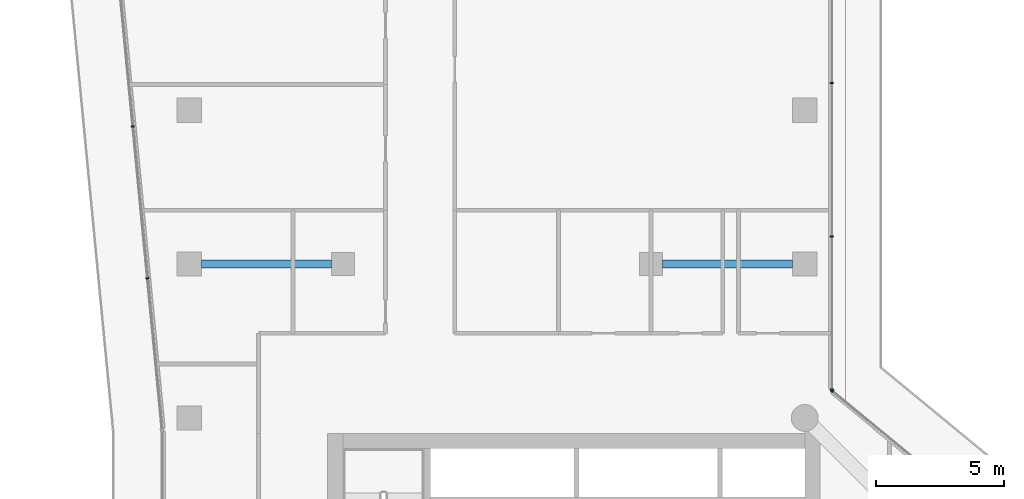
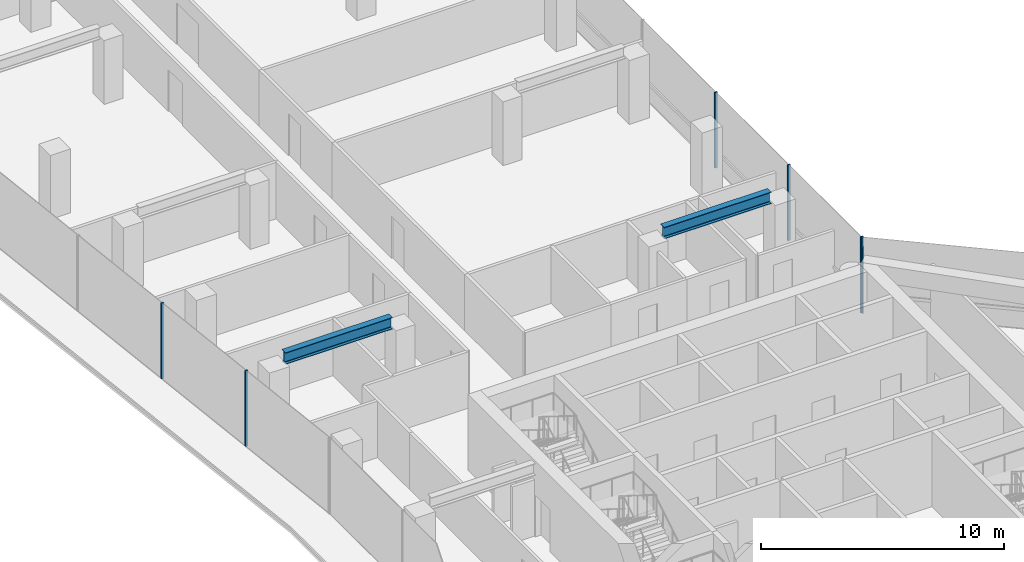
# One storey, part 9 of 22: 6 members, 2 beams, 3 elements without a shape of their own.
"""IFC4 building model written with IfcOpenShell, lengths in metres."""

from ifc_helpers import new_model, si_unit, direction, frame, origin, origin_2d, place, context, subcontext, project, spatial, rectangle, i_section, extrude, material, layer, layer_set, material_profile, profile_set, type_object, element, aggregate, save


model = new_model("IFC4")

# Units and contexts
model_context = context("Model", 3, precision=1e-05, world=origin(), true_north=direction((0.0, 1.0)))
body_context = subcontext(model_context, "Body", "Model", "MODEL_VIEW")
ifc_project = project(units=[si_unit("LENGTHUNIT", "METRE"), si_unit("AREAUNIT", "SQUARE_METRE"), si_unit("VOLUMEUNIT", "CUBIC_METRE"), si_unit("PLANEANGLEUNIT", "RADIAN"), si_unit("MASSUNIT", "GRAM", prefix="KILO")], contexts=[model_context])

# Site, building, storey
site_placement = place(None, origin())
site = spatial("IfcSite", under=ifc_project, at=site_placement, CompositionType="ELEMENT")
building_placement = place(site_placement, origin())
building = spatial("IfcBuilding", under=site, at=building_placement, Name="Welwitschia Terrace Campus", CompositionType="ELEMENT")
storey_placement = place(building_placement, frame((0.0, 0.0, 192.800048828125)))
storey = spatial("IfcBuildingStorey", under=building, at=storey_placement, Name="L43", CompositionType="ELEMENT", Elevation=192.800048828125)

# Curtain wall, members
ifc_material_1 = material(Name="Bronze anodised aluminium", Category="aluminium")
ifc_layer = layer(ifc_material_1, 0.1201171875)
ifc_layer_set = layer_set([ifc_layer], Name="Bronze anodised aluminium")
curtain_wall_type = type_object("IfcCurtainWallType", Name="Curtain wall CW2 tower 6000", PredefinedType="NOTDEFINED", material=ifc_layer_set)
curtain_wall_1_placement = place(storey_placement, origin())
curtain_wall_1 = element("IfcCurtainWall", 1, at=curtain_wall_1_placement, inside=storey, type_object=curtain_wall_type, Name="CW L43.0.0", PredefinedType="NOTDEFINED")
ifc_material_2 = material(Name="Bronze anodised aluminium", Category="aluminium")
ifc_material_profile_1 = material_profile(ifc_material_2, rectangle(XDim=0.1201171875, YDim=0.06005859375, at=origin_2d()))
ifc_profile_set_1 = profile_set([ifc_material_profile_1], Name="Bronze anodised aluminium")
member_type = type_object("IfcMemberType", Name="Mullion 60x120", PredefinedType="MULLION", material=ifc_profile_set_1)
member_1_placement = place(storey_placement, frame((-2.197998046875, 37.363037109375, 0.0), z_axis=(0.0, 0.0, 1.0), x_axis=(0.995396198367, 0.09584575252, 0.0)))
member_1 = element("IfcMember", 2, at=member_1_placement, type_object=member_type, Name="Mullion L43.0.0.4", PredefinedType="MULLION", context=body_context, shape_type="SweptSolid", body=[
    extrude(rectangle(XDim=0.1201171875, YDim=0.06005859375, at=origin_2d()), origin(), (0.0, 0.0, 1.0), 3.800048828125),
])
member_2_placement = place(storey_placement, frame((-1.6279296875, 31.443359375, 0.0), z_axis=(0.0, 0.0, 1.0), x_axis=(0.995396198367, 0.09584575252, 0.0)))
member_2 = element("IfcMember", 3, at=member_2_placement, type_object=member_type, Name="Mullion L43.0.0.5", PredefinedType="MULLION", context=body_context, shape_type="SweptSolid", body=[
    extrude(rectangle(XDim=0.1201171875, YDim=0.06005859375, at=origin_2d()), origin(), (0.0, 0.0, 1.0), 3.800048828125),
])
aggregate(curtain_wall_1, [member_1, member_2])

# Curtain wall, member
curtain_wall_2_placement = place(storey_placement, origin())
curtain_wall_2 = element("IfcCurtainWall", 4, at=curtain_wall_2_placement, inside=storey, type_object=curtain_wall_type, Name="CW L43.9.0", PredefinedType="NOTDEFINED")
member_3_placement = place(storey_placement, frame((25.0810546875, 27.050048828125, 0.0), z_axis=(0.0, 0.0, 1.0), x_axis=(-0.636078220278, -0.771624583388, 0.0)))
member_3 = element("IfcMember", 5, at=member_3_placement, type_object=member_type, Name="Mullion L43.9.0.1", PredefinedType="MULLION", context=body_context, shape_type="SweptSolid", body=[
    extrude(rectangle(XDim=0.1201171875, YDim=0.06005859375, at=origin_2d()), origin(), (0.0, 0.0, 1.0), 3.800048828125),
])
aggregate(curtain_wall_2, [member_3])

# Curtain wall, members
curtain_wall_3_placement = place(storey_placement, origin())
curtain_wall_3 = element("IfcCurtainWall", 6, at=curtain_wall_3_placement, inside=storey, type_object=curtain_wall_type, Name="CW L43.10.0", PredefinedType="NOTDEFINED")
member_4_placement = place(storey_placement, frame((25.05810546875, 27.09912109375, 0.0), z_axis=(0.0, 0.0, 1.0), x_axis=(-1.0, 0.0, 0.0)))
member_4 = element("IfcMember", 7, at=member_4_placement, type_object=member_type, Name="Mullion L43.10.0.0", PredefinedType="MULLION", context=body_context, shape_type="SweptSolid", body=[
    extrude(rectangle(XDim=0.1201171875, YDim=0.06005859375, at=origin_2d()), origin(), (0.0, 0.0, 1.0), 3.800048828125),
])
member_5_placement = place(storey_placement, frame((25.05810546875, 33.066162109375, 0.0), z_axis=(0.0, 0.0, 1.0), x_axis=(-1.0, 0.0, 0.0)))
member_5 = element("IfcMember", 8, at=member_5_placement, type_object=member_type, Name="Mullion L43.10.0.1", PredefinedType="MULLION", context=body_context, shape_type="SweptSolid", body=[
    extrude(rectangle(XDim=0.1201171875, YDim=0.06005859375, at=origin_2d()), origin(), (0.0, 0.0, 1.0), 3.800048828125),
])
member_6_placement = place(storey_placement, frame((25.05810546875, 39.06298828125, 0.0), z_axis=(0.0, 0.0, 1.0), x_axis=(-1.0, 0.0, 0.0)))
member_6 = element("IfcMember", 9, at=member_6_placement, type_object=member_type, Name="Mullion L43.10.0.2", PredefinedType="MULLION", context=body_context, shape_type="SweptSolid", body=[
    extrude(rectangle(XDim=0.1201171875, YDim=0.06005859375, at=origin_2d()), origin(), (0.0, 0.0, 1.0), 3.800048828125),
])
aggregate(curtain_wall_3, [member_4, member_5, member_6])

# Beams
ifc_material_3 = material(Name="Steel S355", Category="steel")
ifc_material_profile_2 = material_profile(ifc_material_3, i_section(OverallWidth=0.300048828125, OverallDepth=0.590087890625, WebThickness=0.012939453125, FlangeThickness=0.02490234375, FilletRadius=0.027099609375, at=origin_2d()))
ifc_profile_set_2 = profile_set([ifc_material_profile_2], Name="Steel S355")
beam_type = type_object("IfcBeamType", Name="Primary beam HE 600 A", PredefinedType="BEAM", material=ifc_profile_set_2)
for number, where, z_axis, x_axis, name in (
    (10, (23.5244140625, 32.0, 3.39501953125), (-1.0, 0.0, 0.0), (0.0, -1.0, 0.0), "Primary beam PB4"),
    (11, (0.4755859375, 32.0, 3.39501953125), (1.0, 0.0, 0.0), (0.0, 1.0, 0.0), "Primary beam PB4"),
):
    element("IfcBeam", number, at=place(storey_placement, frame(where, z_axis=z_axis, x_axis=x_axis)), inside=storey, type_object=beam_type, Name=name, PredefinedType="BEAM", context=body_context, shape_type="SweptSolid", body=[
        extrude(i_section(OverallWidth=0.300048828125, OverallDepth=0.590087890625, WebThickness=0.012939453125, FlangeThickness=0.02490234375, FilletRadius=0.027099609375, at=origin_2d()), origin(), (0.0, 0.0, 1.0), 5.073974609375),
    ])

save(model, "model.ifc")
